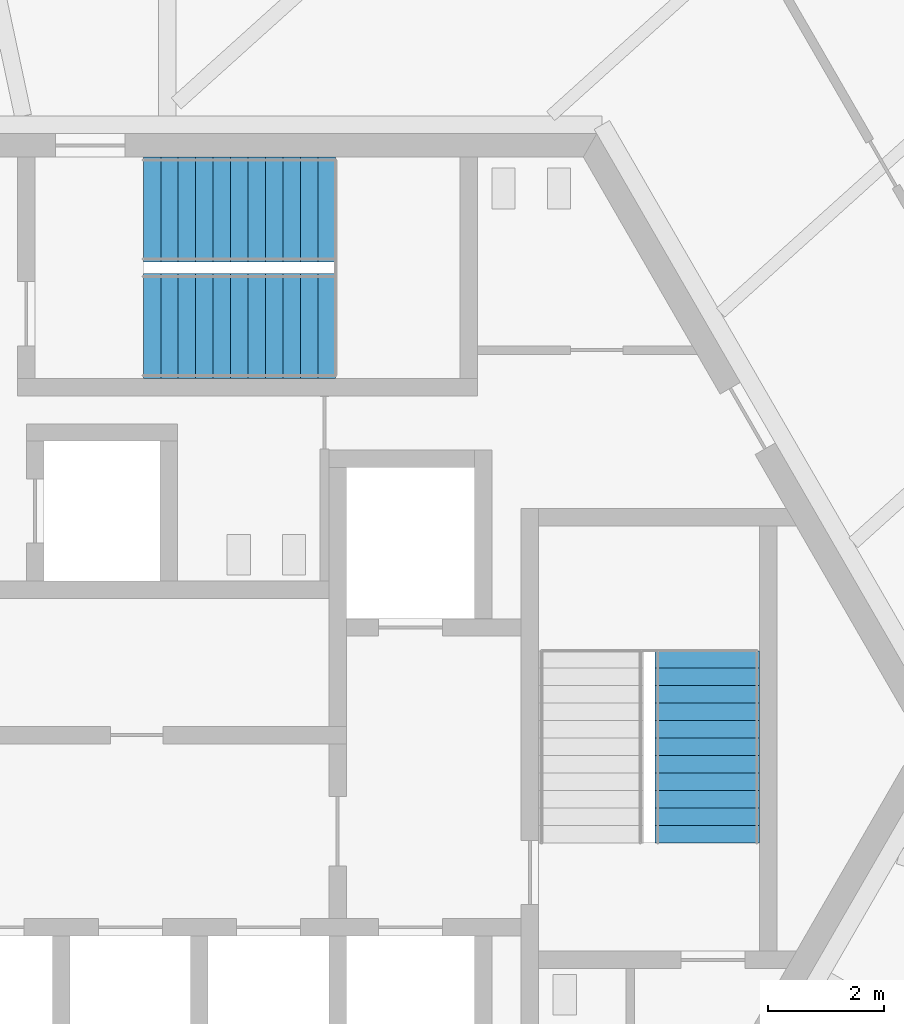
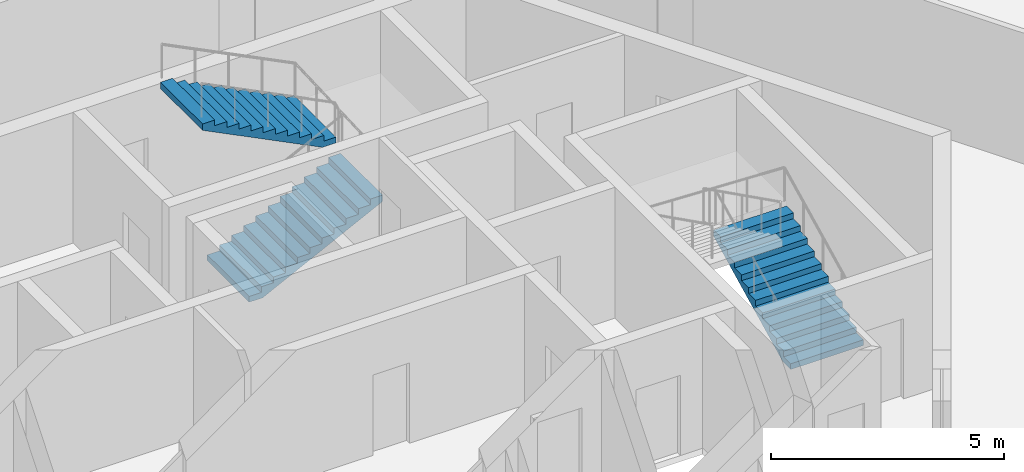
# One storey, part 13 of 17: 3 stair flights, 2 elements without a shape of their own.
"""IFC4 building model written with IfcOpenShell, lengths in metres."""

from ifc_helpers import new_model, si_unit, direction, frame, origin, place, context, subcontext, project, spatial, polyline, outline, extrude, source, transform, mapped, material, type_object, element, aggregate, save


model = new_model("IFC4")

# Units and contexts
model_context = context("Model", 3, precision=1e-05, world=origin(), true_north=direction((0.0, 1.0)))
body_context = subcontext(model_context, "Body", "Model", "MODEL_VIEW")
ifc_project = project(units=[si_unit("LENGTHUNIT", "METRE"), si_unit("AREAUNIT", "SQUARE_METRE"), si_unit("VOLUMEUNIT", "CUBIC_METRE"), si_unit("PLANEANGLEUNIT", "RADIAN"), si_unit("MASSUNIT", "GRAM", prefix="KILO")], contexts=[model_context])

# Site, building, storey
site_placement = place(None, origin())
site = spatial("IfcSite", under=ifc_project, at=site_placement, CompositionType="ELEMENT")
building_placement = place(site_placement, origin())
building = spatial("IfcBuilding", under=site, at=building_placement, Name="Triune Harvest Tower", CompositionType="ELEMENT")
storey_placement = place(building_placement, frame((0.0, 0.0, 281.10009765625)))
storey = spatial("IfcBuildingStorey", under=building, at=storey_placement, Name="L74", CompositionType="ELEMENT", Elevation=281.10009765625)

# Stair, stair flights
ifc_material_1 = material(Name="Concrete 40 MPa", Category="concrete")
stair_type = type_object("IfcStairType", Name="Exit stair 1800 half turn", PredefinedType="HALF_TURN_STAIR", material=ifc_material_1)
stair_1_placement = place(storey_placement, origin())
stair_1 = element("IfcStair", 1, at=stair_1_placement, inside=storey, type_object=stair_type, Name="Exit stair north", PredefinedType="HALF_TURN_STAIR")
ifc_material_2 = material(Name="Concrete 40 MPa", Category="concrete")
stair_flight_type = type_object("IfcStairFlightType", Name="Stair flight 1800", PredefinedType="STRAIGHT", material=ifc_material_2)
shared_shape = source(origin(), body_context, "Body", "SweptSolid", [
    extrude(outline(polyline([(0.0, 0.0), (0.0, 0.14990234375), (0.300048828125, 0.14990234375), (0.300048828125, 0.300048828125), (0.60009765625, 0.300048828125), (0.60009765625, 0.449951171875), (0.89990234375, 0.449951171875), (0.89990234375, 0.60009765625), (1.199951171875, 0.60009765625), (1.199951171875, 0.75), (1.5, 0.75), (1.5, 0.89990234375), (1.800048828125, 0.89990234375), (1.800048828125, 1.050048828125), (2.10009765625, 1.050048828125), (2.10009765625, 1.199951171875), (2.39990234375, 1.199951171875), (2.39990234375, 1.35009765625), (2.699951171875, 1.35009765625), (2.699951171875, 1.5), (3.0, 1.5), (3.0, 1.64990234375), (3.300048828125, 1.64990234375), (3.300048828125, 1.800048828125), (3.300048828125, 1.482421875), (0.335205078125, 0.0), (0.0, 0.0)])), frame((0.0, 0.89990234375, 0.0), z_axis=(0.0, -1.0, 0.0), x_axis=(1.0, 0.0, 0.0)), (0.0, 0.0, 1.0), 1.800048828125),
])
stair_flight_1_placement = place(storey_placement, frame((-1.7900390625, 7.090087890625, 0.0), z_axis=(0.0, 0.0, 1.0), x_axis=(1.0, 0.0, 0.0)))
stair_flight_1 = element("IfcStairFlight", 2, at=stair_flight_1_placement, type_object=stair_flight_type, Name="ST-1 flight 1", NumberOfRisers=12, NumberOfTreads=11, PredefinedType="STRAIGHT", RiserHeight=0.15, TreadLength=0.3, context=body_context, shape_type="MappedRepresentation", body=[
    mapped(shared_shape, transform((0.0, 0.0, 0.0), scale=1.0)),
])
stair_flight_2_placement = place(storey_placement, frame((1.510009765625, 9.090087890625, 1.7998046875), z_axis=(0.0, 0.0, 1.0), x_axis=(-1.0, 0.0, 0.0)))
stair_flight_2 = element("IfcStairFlight", 3, at=stair_flight_2_placement, type_object=stair_flight_type, Name="ST-1 flight 2", NumberOfRisers=12, NumberOfTreads=11, PredefinedType="STRAIGHT", RiserHeight=0.15, TreadLength=0.3, context=body_context, shape_type="MappedRepresentation", body=[
    mapped(shared_shape, transform((0.0, 0.0, 0.0), scale=1.0)),
])
aggregate(stair_1, [stair_flight_1, stair_flight_2])

# Stair, stair flight
stair_2_placement = place(storey_placement, origin())
stair_2 = element("IfcStair", 4, at=stair_2_placement, inside=storey, type_object=stair_type, Name="Exit stair east", PredefinedType="HALF_TURN_STAIR")
stair_flight_3_placement = place(storey_placement, frame((7.89990234375, -1.7900390625, 0.0), z_axis=(0.0, 0.0, 1.0), x_axis=(0.0, 1.0, 0.0)))
stair_flight_3 = element("IfcStairFlight", 5, at=stair_flight_3_placement, type_object=stair_flight_type, Name="ST-3 flight 1", NumberOfRisers=12, NumberOfTreads=11, PredefinedType="STRAIGHT", RiserHeight=0.15, TreadLength=0.3, context=body_context, shape_type="MappedRepresentation", body=[
    mapped(shared_shape, transform((0.0, 0.0, 0.0), scale=1.0)),
])
aggregate(stair_2, [stair_flight_3])

save(model, "model.ifc")
